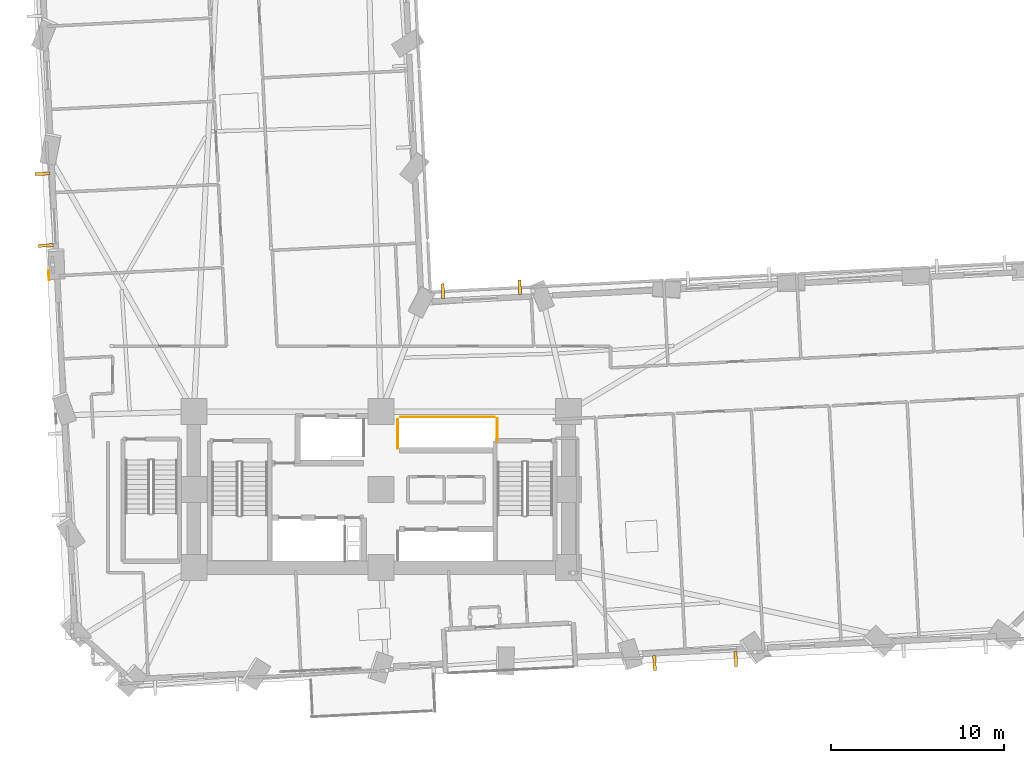
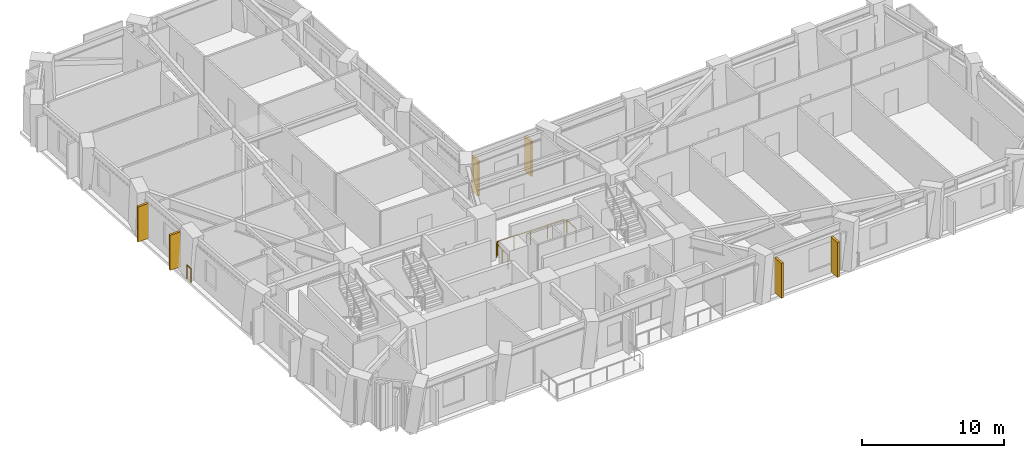
# One storey, part 13 of 15: 6 shading devices, 4 railings.
"""IFC4 building model written with IfcOpenShell, lengths in metres."""

from ifc_helpers import new_model, si_unit, direction, frame, origin, origin_2d, place, context, subcontext, project, spatial, rectangle, circle, extrude, material, layer, layer_set, type_object, element, save


model = new_model("IFC4")

# Units and contexts
model_context = context("Model", 3, precision=1e-05, world=origin(), true_north=direction((0.0, 1.0)))
body_context = subcontext(model_context, "Body", "Model", "MODEL_VIEW")
ifc_project = project(units=[si_unit("LENGTHUNIT", "METRE"), si_unit("AREAUNIT", "SQUARE_METRE"), si_unit("VOLUMEUNIT", "CUBIC_METRE"), si_unit("PLANEANGLEUNIT", "RADIAN"), si_unit("MASSUNIT", "GRAM", prefix="KILO")], contexts=[model_context])

# Site, building, storey
site_placement = place(None, origin())
site = spatial("IfcSite", under=ifc_project, at=site_placement, CompositionType="ELEMENT")
building_placement = place(site_placement, origin())
building = spatial("IfcBuilding", under=site, at=building_placement, Name="Gaonmaruhae Medical Tower", CompositionType="ELEMENT")
storey_placement = place(building_placement, frame((0.0, 0.0, 35.0)))
storey = spatial("IfcBuildingStorey", under=building, at=storey_placement, Name="L07", CompositionType="ELEMENT", Elevation=35.0)

# Railing
ifc_material_1 = material(Name="Stainless steel 316L and laminated safety glass", Category="steel")
ifc_layer = layer(ifc_material_1, 0.080078125)
ifc_layer_set = layer_set([ifc_layer], Name="Stainless steel 316L and laminated safety glass")
railing_type_1 = type_object("IfcRailingType", Name="GD-120 Outdoor Terrace Safety Glass & Steel Balustrade", PredefinedType="BALUSTRADE", material=ifc_layer_set)
railing_1_placement = place(storey_placement, frame((5.65576171875, 24.390625, 0.0)))
element("IfcRailing", 1, at=railing_1_placement, inside=storey, type_object=railing_type_1, Name="L07 Perimeter Slab Edge Safety Balustrade 02", PredefinedType="BALUSTRADE", context=body_context, shape_type="SweptSolid", body=[
    extrude(circle(Radius=0.02392578125, at=origin_2d()), frame((0.0, 0.0, 1.17578125), z_axis=(-0.049797032909, 0.998759358161, 0.0), x_axis=(-0.998759358161, -0.049797032909, 0.0)), (0.0, 0.0, 1.0), 0.519775390625),
    extrude(circle(Radius=0.02099609375, at=origin_2d()), origin(), (0.0, 0.0, 1.0), 1.15185546875),
    extrude(circle(Radius=0.02099609375, at=origin_2d()), frame((-0.02587890625, 0.51904296875, 0.0)), (0.0, 0.0, 1.0), 1.15185546875),
])

# Shading devices
ifc_material_2 = material(Name="Pigmented coral precast concrete C45/55", Category="concrete")
shading_device_type = type_object("IfcShadingDeviceType", Name="SD-FIN1 Tower Vertical Coral Precast Shading Fin", PredefinedType="USERDEFINED", material=ifc_material_2)
for number, where, z_axis, x_axis, name in (
    (2, (45.2548828125, 2.537109375, 0.072509765625), (0.0, 0.0, 1.0), (-0.998763127564, -0.049721373869, 0.0), "L07 Vertical Coral Precast Shading Fin S05"),
    (3, (40.568115234375, 2.3037109375, 0.072509765625), (0.0, 0.0, 1.0), (-0.998763127564, -0.049721373869, 0.0), "L07 Vertical Coral Precast Shading Fin S05B"),
    (4, (28.36279296875, 23.75341796875, 0.08251953125), (0.0, 0.0, 1.0), (0.998763127564, 0.049721373869, 0.0), "L07 Vertical Coral Precast Shading Fin EN04"),
    (5, (32.79345703125, 23.973876953125, 0.08251953125), (0.0, 0.0, 1.0), (0.998763127564, 0.049721373869, 0.0), "L07 Vertical Coral Precast Shading Fin EN04B"),
    (6, (5.471435546875, 26.38330078125, 0.08251953125), (0.0, 0.0, 1.0), (-0.049721373869, 0.998763127564, 0.0), "L07 Vertical Coral Precast Shading Fin W03"),
    (7, (5.265625, 30.51611328125, 0.08251953125), (0.0, 0.0, 1.0), (-0.049721373869, 0.998763127564, 0.0), "L07 Vertical Coral Precast Shading Fin W03B"),
):
    element("IfcShadingDevice", number, at=place(storey_placement, frame(where, z_axis=z_axis, x_axis=x_axis)), inside=storey, type_object=shading_device_type, Name=name, ObjectType="FIN", PredefinedType="USERDEFINED", context=body_context, shape_type="SweptSolid", body=[
        extrude(rectangle(XDim=0.179931640625, YDim=0.85009765625, at=origin_2d()), origin(), (0.0, 0.0, 1.0), 3.0),
    ])

# Railings
ifc_material_3 = material(Name="Stainless steel 304 balustrade", Category="steel")
railing_type_2 = type_object("IfcRailingType", Name="SG-112 Stair Well & Ramp Void Safety Balustrade", PredefinedType="BALUSTRADE", material=ifc_material_3)
railing_2_placement = place(storey_placement, frame((31.4951171875, 16.405029296875, 0.0)))
element("IfcRailing", 8, at=railing_2_placement, inside=storey, type_object=railing_type_2, Name="L07 Shaft Edge Safety Guard 15", PredefinedType="BALUSTRADE", context=body_context, shape_type="SweptSolid", body=[
    extrude(circle(Radius=0.02392578125, at=origin_2d()), frame((0.0, 0.0, 1.17578125), z_axis=(0.0, -1.0, 0.0), x_axis=(1.0, 0.0, 0.0)), (0.0, 0.0, 1.0), 1.284912109375),
    extrude(circle(Radius=0.02099609375, at=origin_2d()), origin(), (0.0, 0.0, 1.0), 1.15185546875),
    extrude(circle(Radius=0.02099609375, at=origin_2d()), frame((0.0, -1.284912109375, 0.0)), (0.0, 0.0, 1.0), 1.15185546875),
])
railing_3_placement = place(storey_placement, frame((25.7548828125, 14.695068359375, 0.0)))
element("IfcRailing", 9, at=railing_3_placement, inside=storey, type_object=railing_type_2, Name="L07 Shaft Edge Safety Guard 16", PredefinedType="BALUSTRADE", context=body_context, shape_type="SweptSolid", body=[
    extrude(circle(Radius=0.02392578125, at=origin_2d()), frame((0.0, 0.0, 1.17578125), z_axis=(0.0, 1.0, 0.0), x_axis=(-1.0, 0.0, 0.0)), (0.0, 0.0, 1.0), 1.635009765625),
    extrude(circle(Radius=0.02099609375, at=origin_2d()), origin(), (0.0, 0.0, 1.0), 1.15185546875),
    extrude(circle(Radius=0.02099609375, at=origin_2d()), frame((0.0, 0.8173828125, 0.0)), (0.0, 0.0, 1.0), 1.15185546875),
    extrude(circle(Radius=0.02099609375, at=origin_2d()), frame((0.0, 1.635009765625, 0.0)), (0.0, 0.0, 1.0), 1.15185546875),
])
railing_4_placement = place(storey_placement, frame((25.919921875, 16.4951171875, 0.0)))
element("IfcRailing", 10, at=railing_4_placement, inside=storey, type_object=railing_type_2, Name="L07 Shaft Edge Safety Guard 17", PredefinedType="BALUSTRADE", context=body_context, shape_type="SweptSolid", body=[
    extrude(circle(Radius=0.02392578125, at=origin_2d()), frame((0.0, 0.0, 1.17578125), z_axis=(1.0, 0.0, 0.0), x_axis=(0.0, 1.0, 0.0)), (0.0, 0.0, 1.0), 5.41015625),
    extrude(circle(Radius=0.02099609375, at=origin_2d()), origin(), (0.0, 0.0, 1.0), 1.15185546875),
    extrude(circle(Radius=0.02099609375, at=origin_2d()), frame((1.3525390625, 0.0, 0.0)), (0.0, 0.0, 1.0), 1.15185546875),
    extrude(circle(Radius=0.02099609375, at=origin_2d()), frame((2.705078125, 0.0, 0.0)), (0.0, 0.0, 1.0), 1.15185546875),
    extrude(circle(Radius=0.02099609375, at=origin_2d()), frame((4.0576171875, 0.0, 0.0)), (0.0, 0.0, 1.0), 1.15185546875),
    extrude(circle(Radius=0.02099609375, at=origin_2d()), frame((5.41015625, 0.0, 0.0)), (0.0, 0.0, 1.0), 1.15185546875),
])

save(model, "model.ifc")
